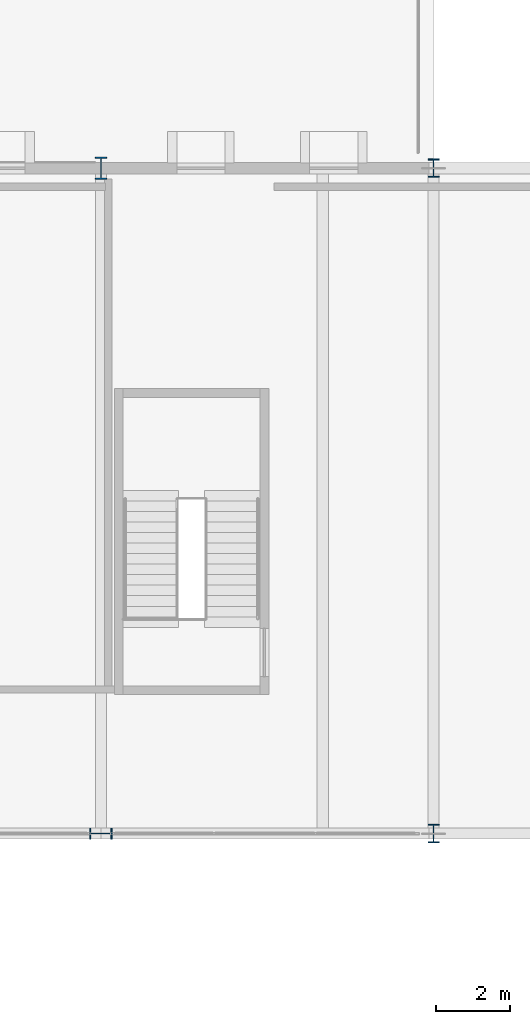
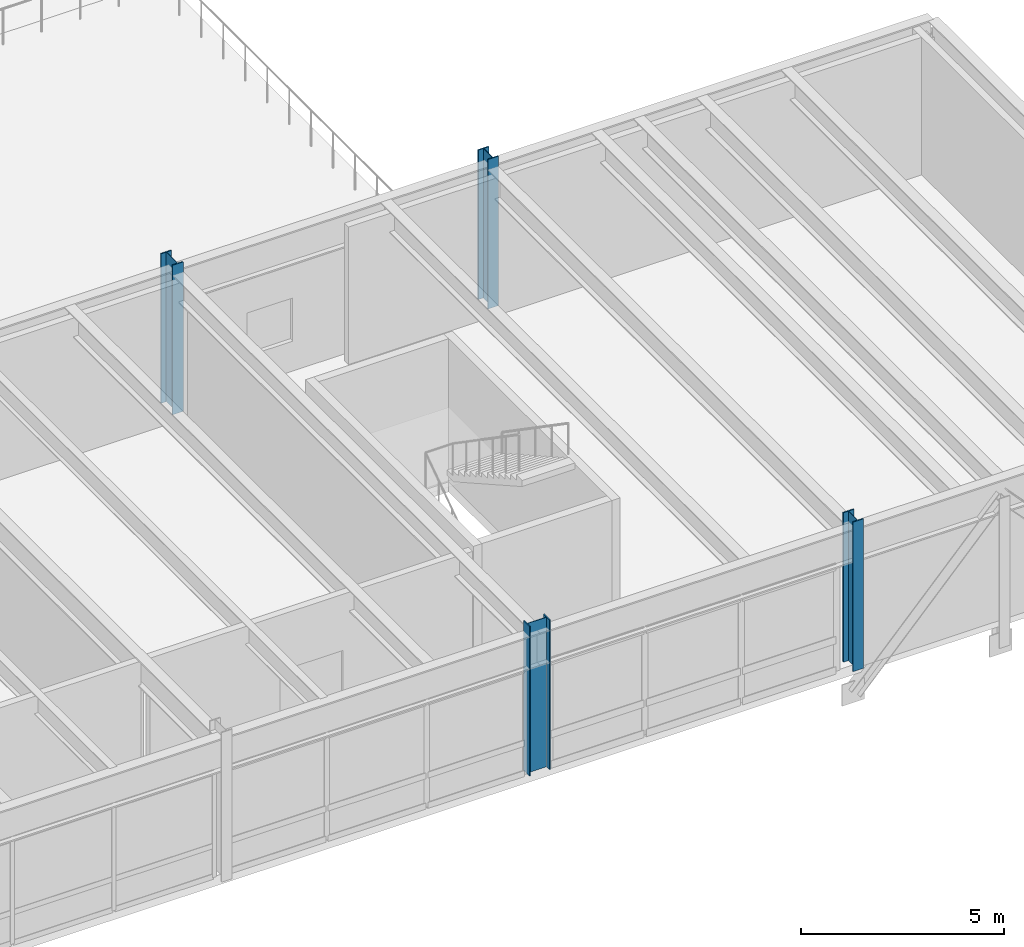
# One storey, part 15 of 115: 4 columns.
"""IFC4 building model written with IfcOpenShell, lengths in metres."""

from ifc_helpers import new_model, si_unit, direction, frame, origin, origin_2d, place, context, subcontext, project, spatial, i_section, extrude, material, material_profile, profile_set, type_object, element, save


model = new_model("IFC4")

# Units and contexts
model_context = context("Model", 3, precision=1e-05, world=origin(), true_north=direction((0.0, 1.0)))
body_context = subcontext(model_context, "Body", "Model", "MODEL_VIEW")
ifc_project = project(units=[si_unit("LENGTHUNIT", "METRE"), si_unit("AREAUNIT", "SQUARE_METRE"), si_unit("VOLUMEUNIT", "CUBIC_METRE"), si_unit("PLANEANGLEUNIT", "RADIAN"), si_unit("MASSUNIT", "GRAM", prefix="KILO")], contexts=[model_context])

# Site, building, storey
site_placement = place(None, origin())
site = spatial("IfcSite", under=ifc_project, at=site_placement, CompositionType="ELEMENT")
building_placement = place(site_placement, origin())
building = spatial("IfcBuilding", under=site, at=building_placement, Name="Montelvaro Courts of Justice", CompositionType="ELEMENT")
storey_placement = place(building_placement, frame((0.0, 0.0, 9.89990234375)))
storey = spatial("IfcBuildingStorey", under=building, at=storey_placement, Name="L02", CompositionType="ELEMENT", Elevation=9.89990234375)

# Columns
ifc_material = material(Name="Steel S355", Category="steel")
ifc_material_profile_1 = material_profile(ifc_material, i_section(OverallWidth=0.300048828125, OverallDepth=0.5, WebThickness=0.014404296875, FlangeThickness=0.028076171875, at=origin_2d()), Name="HEB 500")
ifc_profile_set_1 = profile_set([ifc_material_profile_1], Name="Steel S355")
column_type_1 = type_object("IfcColumnType", Name="Col_HEB500", PredefinedType="COLUMN", material=ifc_profile_set_1)
for number, where, z_axis, x_axis, name in (
    (1, (162.0, 78.0, 0.0), (0.0, 0.0, 1.0), (1.0, 0.0, 0.0), "Column C-09 L02 19/G"),
    (2, (162.0, 96.0, 0.0), (0.0, 0.0, 1.0), (1.0, 0.0, 0.0), "Column C-09 L02 19/H"),
):
    element("IfcColumn", number, at=place(storey_placement, frame(where, z_axis=z_axis, x_axis=x_axis)), inside=storey, type_object=column_type_1, Name=name, PredefinedType="COLUMN", context=body_context, shape_type="SweptSolid", body=[
        extrude(i_section(OverallWidth=0.300048828125, OverallDepth=0.5, WebThickness=0.014404296875, FlangeThickness=0.028076171875, at=origin_2d()), origin(), (0.0, 0.0, 1.0), 4.5),
    ])
ifc_material_profile_2 = material_profile(ifc_material, i_section(OverallWidth=0.300048828125, OverallDepth=0.60009765625, WebThickness=0.015380859375, FlangeThickness=0.030029296875, at=origin_2d()), Name="HEB 600")
ifc_profile_set_2 = profile_set([ifc_material_profile_2], Name="Steel S355")
column_type_2 = type_object("IfcColumnType", Name="Col_HEB600", PredefinedType="COLUMN", material=ifc_profile_set_2)
for number, where, z_axis, x_axis, name in (
    (3, (153.0, 78.0, 0.0), (0.0, 0.0, 1.0), (0.0, 1.0, 0.0), "Column C-11 L02 18/G"),
    (4, (153.0, 96.0, 0.0), (0.0, 0.0, 1.0), (1.0, 0.0, 0.0), "Column C-11 L02 18/H"),
):
    element("IfcColumn", number, at=place(storey_placement, frame(where, z_axis=z_axis, x_axis=x_axis)), inside=storey, type_object=column_type_2, Name=name, PredefinedType="COLUMN", context=body_context, shape_type="SweptSolid", body=[
        extrude(i_section(OverallWidth=0.300048828125, OverallDepth=0.60009765625, WebThickness=0.015380859375, FlangeThickness=0.030029296875, at=origin_2d()), origin(), (0.0, 0.0, 1.0), 4.5),
    ])

save(model, "model.ifc")
